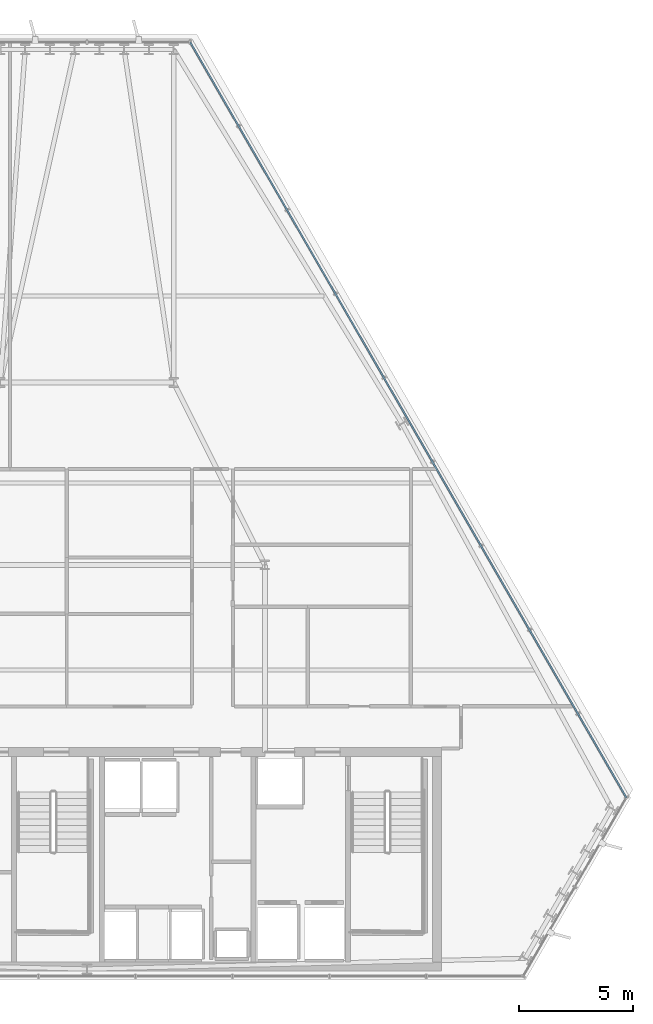
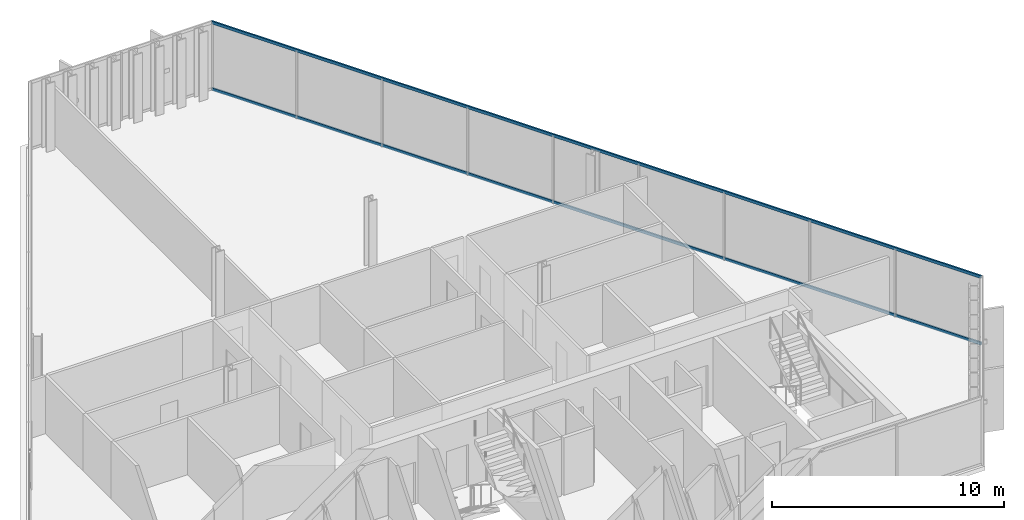
# One storey, part 18 of 34: 2 members, 1 element without a shape of its own.
"""IFC4 building model written with IfcOpenShell, lengths in metres."""

from ifc_helpers import new_model, si_unit, direction, frame, origin, origin_2d, place, context, subcontext, project, spatial, hollow_rectangle, extrude, material, layer, layer_set, material_profile, profile_set, type_object, element, aggregate, save


model = new_model("IFC4")

# Units and contexts
model_context = context("Model", 3, precision=1e-05, world=origin(), true_north=direction((0.0, 1.0)))
body_context = subcontext(model_context, "Body", "Model", "MODEL_VIEW")
ifc_project = project(units=[si_unit("LENGTHUNIT", "METRE"), si_unit("AREAUNIT", "SQUARE_METRE"), si_unit("VOLUMEUNIT", "CUBIC_METRE"), si_unit("PLANEANGLEUNIT", "RADIAN"), si_unit("MASSUNIT", "GRAM", prefix="KILO")], contexts=[model_context])

# Site, building, storey
site_placement = place(None, origin())
site = spatial("IfcSite", under=ifc_project, at=site_placement, CompositionType="ELEMENT")
building_placement = place(site_placement, origin())
building = spatial("IfcBuilding", under=site, at=building_placement, Name="Ndaravel Arena Tower", CompositionType="ELEMENT")
storey_placement = place(building_placement, frame((0.0, 0.0, 191.60009765625)))
storey = spatial("IfcBuildingStorey", under=building, at=storey_placement, Name="L46", CompositionType="ELEMENT", Elevation=191.60009765625)

# Curtain wall, members
ifc_material_1 = material(Name="Aluminium", Category="aluminium")
ifc_layer = layer(ifc_material_1, 0.179931640625)
ifc_layer_set = layer_set([ifc_layer], Name="Aluminium")
curtain_wall_type = type_object("IfcCurtainWallType", Name="CW-SYS-03", PredefinedType="NOTDEFINED", material=ifc_layer_set)
curtain_wall_placement = place(storey_placement, origin())
curtain_wall = element("IfcCurtainWall", 1, at=curtain_wall_placement, inside=storey, type_object=curtain_wall_type, Name="L46 Faceted Crystal Curtain Wall CW-L46-E03", PredefinedType="NOTDEFINED")
ifc_material_2 = material(Name="Aluminium", Category="aluminium")
ifc_material_profile = material_profile(ifc_material_2, hollow_rectangle(XDim=0.074951171875, YDim=0.14990234375, WallThickness=0.00390625, at=origin_2d()), Name="CW TRANSOM 75x150x4")
ifc_profile_set = profile_set([ifc_material_profile], Name="Aluminium")
member_type = type_object("IfcMemberType", Name="MEM-CW-TRN150", PredefinedType="USERDEFINED", material=ifc_profile_set)
member_1_placement = place(storey_placement, frame((65.651611328125, 12.994140625, 0.039794921875), z_axis=(-0.499999759107, 0.866025542864, 0.0), x_axis=(-0.866025542864, -0.499999759107, 0.0)))
member_1 = element("IfcMember", 2, at=member_1_placement, type_object=member_type, Name="CW-L46-E03 Transom 01", ObjectType="TRANSOM", PredefinedType="USERDEFINED", context=body_context, shape_type="SweptSolid", body=[
    extrude(hollow_rectangle(XDim=0.074951171875, YDim=0.14990234375, WallThickness=0.00390625, at=origin_2d()), origin(), (0.0, 0.0, 1.0), 38.25732421875),
])
member_2_placement = place(storey_placement, frame((65.651611328125, 12.994140625, 3.539794921875), z_axis=(-0.499999759107, 0.866025542864, 0.0), x_axis=(-0.866025542864, -0.499999759107, 0.0)))
member_2 = element("IfcMember", 3, at=member_2_placement, type_object=member_type, Name="CW-L46-E03 Transom 02", ObjectType="TRANSOM", PredefinedType="USERDEFINED", context=body_context, shape_type="SweptSolid", body=[
    extrude(hollow_rectangle(XDim=0.074951171875, YDim=0.14990234375, WallThickness=0.00390625, at=origin_2d()), origin(), (0.0, 0.0, 1.0), 38.25732421875),
])
aggregate(curtain_wall, [member_1, member_2])

save(model, "model.ifc")
